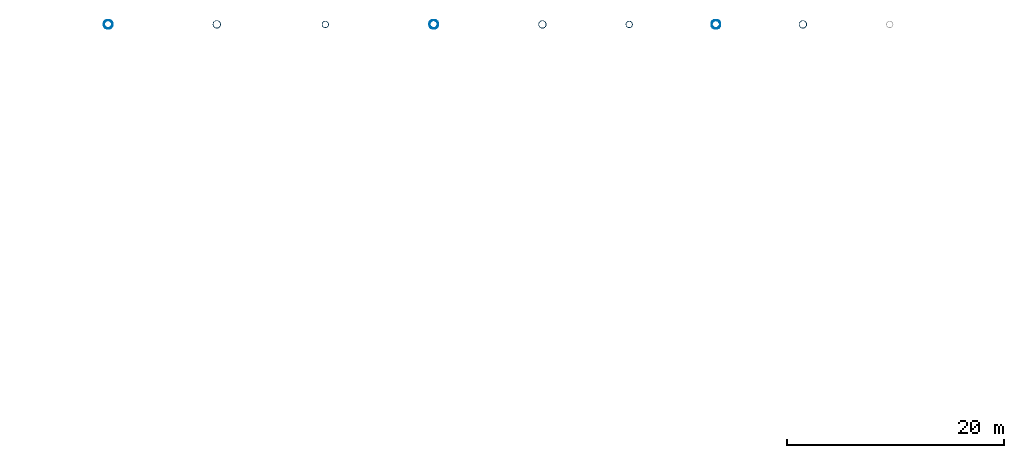
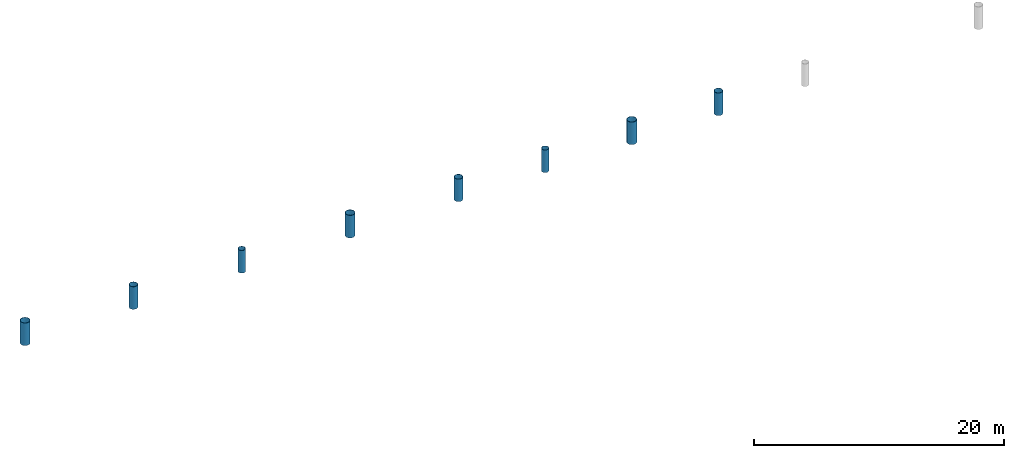
# One storey, part 7 of 137: 8 columns.
"""IFC4 building model written with IfcOpenShell, lengths in metres."""

from ifc_helpers import new_model, si_unit, direction, frame, origin, origin_2d, place, context, subcontext, project, spatial, hollow_circle, extrude, material, material_profile, profile_set, type_object, element, save


model = new_model("IFC4")

# Units and contexts
model_context = context("Model", 3, precision=1e-05, world=origin(), true_north=direction((0.0, 1.0)))
body_context = subcontext(model_context, "Body", "Model", "MODEL_VIEW")
ifc_project = project(units=[si_unit("LENGTHUNIT", "METRE"), si_unit("AREAUNIT", "SQUARE_METRE"), si_unit("VOLUMEUNIT", "CUBIC_METRE"), si_unit("PLANEANGLEUNIT", "RADIAN"), si_unit("MASSUNIT", "GRAM", prefix="KILO")], contexts=[model_context])

# Site, building, storey
site_placement = place(None, origin())
site = spatial("IfcSite", under=ifc_project, at=site_placement, CompositionType="ELEMENT")
building_placement = place(site_placement, origin())
building = spatial("IfcBuilding", under=site, at=building_placement, Name="Khorjan Park Terminus", CompositionType="ELEMENT")
storey_placement = place(building_placement, frame((0.0, 0.0, 11.4)))
storey = spatial("IfcBuildingStorey", under=building, at=storey_placement, Name="L02", CompositionType="ELEMENT", Elevation=11.4)

# Columns
ifc_material = material(Name="Steel S355", Category="steel")
ifc_material_profile_1 = material_profile(ifc_material, hollow_circle(Radius=0.305, WallThickness=0.02, at=origin_2d()), Name="CHS 610x20")
ifc_profile_set_1 = profile_set([ifc_material_profile_1], Name="Steel S355")
column_type_1 = type_object("IfcColumnType", Name="COL-SH610E", PredefinedType="COLUMN", material=ifc_profile_set_1)
for number, where, z_axis, x_axis, name in (
    (1, (20.0, 154.0, 0.0), (0.0, 0.0, 1.0), (1.0, 0.0, 0.0), "Structural column SC-61 (L02 #32)"),
    (2, (48.0, 154.0, 0.0), (0.0, 0.0, 1.0), (1.0, 0.0, 0.0), "Structural column SC-61 (L02 #68)"),
):
    element("IfcColumn", number, at=place(storey_placement, frame(where, z_axis=z_axis, x_axis=x_axis)), inside=storey, type_object=column_type_1, Name=name, PredefinedType="COLUMN", context=body_context, shape_type="SweptSolid", body=[
        extrude(hollow_circle(Radius=0.305, WallThickness=0.02, at=origin_2d()), origin(), (0.0, 0.0, 1.0), 2.2),
    ])
ifc_material_profile_2 = material_profile(ifc_material, hollow_circle(Radius=0.3555, WallThickness=0.025, at=origin_2d()), Name="CHS 711x25")
ifc_profile_set_2 = profile_set([ifc_material_profile_2], Name="Steel S355")
column_type_2 = type_object("IfcColumnType", Name="COL-SH711E", PredefinedType="COLUMN", material=ifc_profile_set_2)
for number, where, z_axis, x_axis, name in (
    (3, (10.0, 154.0, 0.0), (0.0, 0.0, 1.0), (1.0, 0.0, 0.0), "Structural column SC-71 (L02 #20)"),
    (4, (40.0, 154.0, 0.0), (0.0, 0.0, 1.0), (1.0, 0.0, 0.0), "Structural column SC-71 (L02 #56)"),
    (5, (64.0, 154.0, 0.0), (0.0, 0.0, 1.0), (1.0, 0.0, 0.0), "Structural column SC-71 (L02 #94)"),
):
    element("IfcColumn", number, at=place(storey_placement, frame(where, z_axis=z_axis, x_axis=x_axis)), inside=storey, type_object=column_type_2, Name=name, PredefinedType="COLUMN", context=body_context, shape_type="SweptSolid", body=[
        extrude(hollow_circle(Radius=0.3555, WallThickness=0.025, at=origin_2d()), origin(), (0.0, 0.0, 1.0), 2.2),
    ])
ifc_material_profile_3 = material_profile(ifc_material, hollow_circle(Radius=0.4065, WallThickness=0.025, at=origin_2d()), Name="CHS 813x25")
ifc_profile_set_3 = profile_set([ifc_material_profile_3], Name="Steel S355")
column_type_3 = type_object("IfcColumnType", Name="COL-SH813E", PredefinedType="COLUMN", material=ifc_profile_set_3)
for number, where, z_axis, x_axis, name in (
    (6, (0.0, 154.0, 0.0), (0.0, 0.0, 1.0), (1.0, 0.0, 0.0), "Structural column SC-81 (L02 #8)"),
    (7, (30.0, 154.0, 0.0), (0.0, 0.0, 1.0), (1.0, 0.0, 0.0), "Structural column SC-81 (L02 #44)"),
    (8, (56.0, 154.0, 0.0), (0.0, 0.0, 1.0), (1.0, 0.0, 0.0), "Structural column SC-81 (L02 #80)"),
):
    element("IfcColumn", number, at=place(storey_placement, frame(where, z_axis=z_axis, x_axis=x_axis)), inside=storey, type_object=column_type_3, Name=name, PredefinedType="COLUMN", context=body_context, shape_type="SweptSolid", body=[
        extrude(hollow_circle(Radius=0.4065, WallThickness=0.025, at=origin_2d()), origin(), (0.0, 0.0, 1.0), 2.2),
    ])

save(model, "model.ifc")
